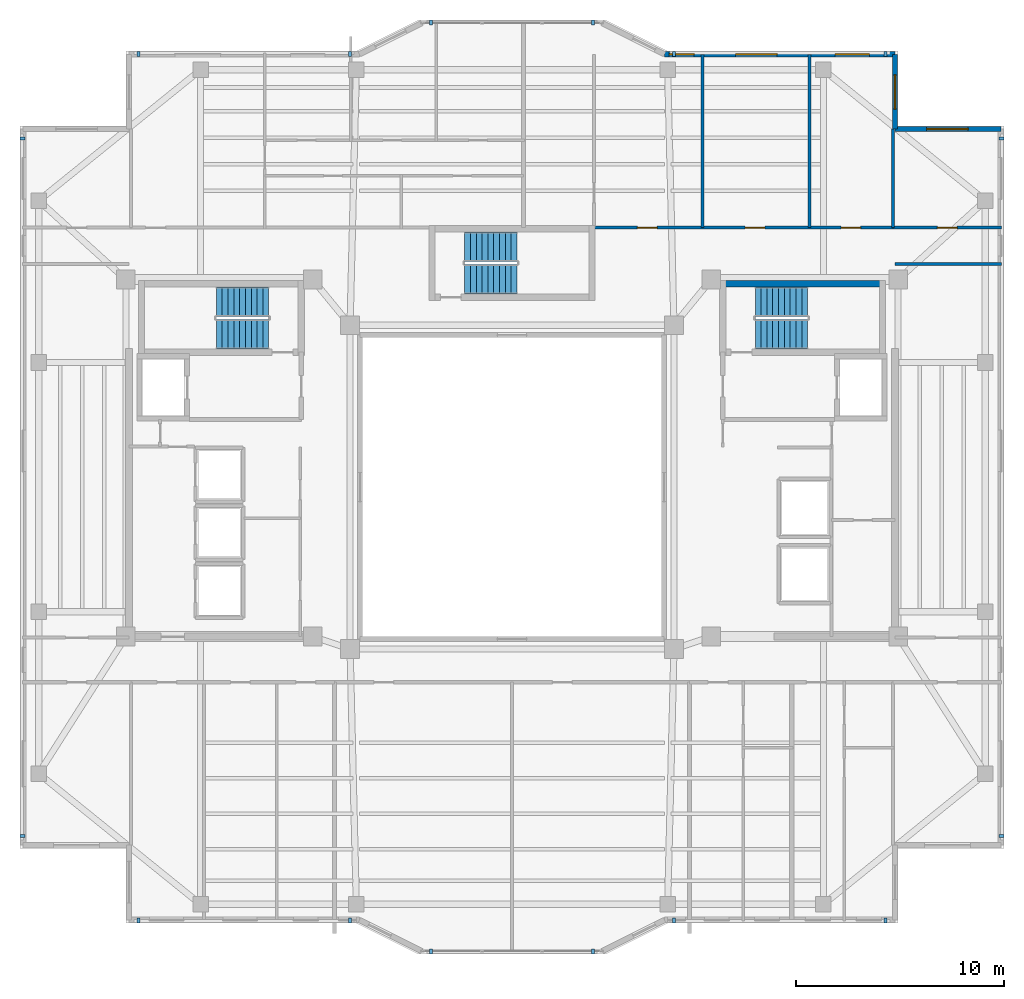
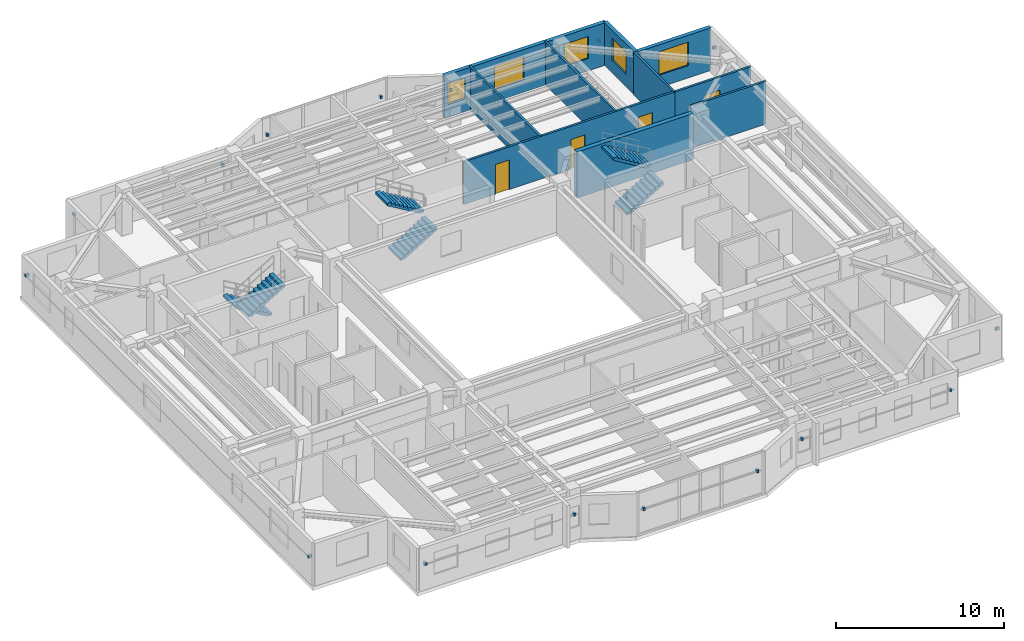
# One storey, part 10 of 13: 16 discrete accessories, 10 walls, 6 stair flights, 5 windows, 4 doors, 9 openings, 3 elements without a shape of their own.
"""IFC4 building model written with IfcOpenShell, lengths in metres."""

from ifc_helpers import new_model, si_unit, direction, frame, frame_2d, origin, origin_2d, place, context, subcontext, project, spatial, polyline, rectangle, outline, extrude, material, layer, layer_set, type_object, element, fill, aggregate, save


model = new_model("IFC4")

# Units and contexts
model_context = context("Model", 3, precision=1e-05, world=origin(), true_north=direction((0.0, 1.0)))
body_context = subcontext(model_context, "Body", "Model", "MODEL_VIEW")
ifc_project = project(units=[si_unit("LENGTHUNIT", "METRE"), si_unit("AREAUNIT", "SQUARE_METRE"), si_unit("VOLUMEUNIT", "CUBIC_METRE"), si_unit("PLANEANGLEUNIT", "RADIAN"), si_unit("MASSUNIT", "GRAM", prefix="KILO")], contexts=[model_context])

# Site, building, storey
site_placement = place(None, origin())
site = spatial("IfcSite", under=ifc_project, at=site_placement, CompositionType="ELEMENT")
building_placement = place(site_placement, origin())
building = spatial("IfcBuilding", under=site, at=building_placement, Name="Tarnavaz Court Tower", CompositionType="ELEMENT")
storey_placement = place(building_placement, frame((0.0, 0.0, 193.60009765625)))
storey = spatial("IfcBuildingStorey", under=building, at=storey_placement, Name="L52", CompositionType="ELEMENT", Elevation=193.60009765625)

# Wall
ifc_material_1 = material(Name="Concrete C50/60", Category="concrete")
ifc_layer_1 = layer(ifc_material_1, 0.300048828125)
ifc_layer_set_1 = layer_set([ifc_layer_1], Name="Concrete C50/60")
wall_type_1 = type_object("IfcWallType", Name="WL-CORE-300-C50", PredefinedType="SHEAR", material=ifc_layer_set_1)
wall_1_placement = place(storey_placement, frame((10.0, 9.7900390625, 0.0), z_axis=(0.0, 0.0, 1.0), x_axis=(1.0, 0.0, 0.0)))
element("IfcWall", 1, at=wall_1_placement, inside=storey, type_object=wall_type_1, Name="L52 East Stair Core Wall 005", PredefinedType="SHEAR", context=body_context, shape_type="SweptSolid", body=[
    extrude(rectangle(XDim=8.0, YDim=0.300048828125, at=frame_2d((4.0, 0.0))), origin(), (0.0, 0.0, 1.0), 3.349853515625),
])

# Wall, openings, windows
ifc_material_2 = material(Name="Precast Concrete C40/50", Category="concrete")
ifc_layer_2 = layer(ifc_material_2, 0.260009765625)
ifc_layer_set_2 = layer_set([ifc_layer_2], Name="Precast Concrete C40/50")
wall_type_2 = type_object("IfcWallType", Name="WL-EXT-260", PredefinedType="SOLIDWALL", material=ifc_layer_set_2)
wall_2_placement = place(storey_placement, frame((7.35009765625, 20.85009765625, 0.0), z_axis=(0.0, 0.0, 1.0), x_axis=(1.0, 0.0, 0.0)))
wall_2 = element("IfcWall", 2, at=wall_2_placement, inside=storey, type_object=wall_type_2, Name="L52 Exterior Terracotta Facade Wall 09", PredefinedType="SOLIDWALL", context=body_context, shape_type="SweptSolid", body=[
    extrude(rectangle(XDim=11.099853515625, YDim=0.260009765625, at=frame_2d((5.5498046875, 0.0))), origin(), (0.0, 0.0, 1.0), 3.099853515625),
])
opening_1_placement = place(wall_2_placement, frame((0.223388671875, 0.0, 0.949951171875)))
opening_1 = element("IfcOpeningElement", 3, at=opening_1_placement, cuts=wall_2, Name="Opening W05", PredefinedType="OPENING", context=body_context, shape_type="SweptSolid", body=[
    extrude(rectangle(XDim=1.199951171875, YDim=1.5, at=frame_2d((0.60009765625, 0.75))), frame((0.0, 0.139892578125, 0.0), z_axis=(0.0, -1.0, 0.0), x_axis=(1.0, 0.0, 0.0)), (0.0, 0.0, 1.0), 0.280029296875),
])
opening_2_placement = place(wall_2_placement, frame((3.419921875, 0.0, 0.89990234375)))
opening_2 = element("IfcOpeningElement", 4, at=opening_2_placement, cuts=wall_2, Name="Opening W08", PredefinedType="OPENING", context=body_context, shape_type="SweptSolid", body=[
    extrude(rectangle(XDim=2.0, YDim=1.699951171875, at=frame_2d((1.0, 0.85009765625))), frame((0.0, 0.139892578125, 0.0), z_axis=(0.0, -1.0, 0.0), x_axis=(1.0, 0.0, 0.0)), (0.0, 0.0, 1.0), 0.280029296875),
])
opening_3_placement = place(wall_2_placement, frame((8.2158203125, 0.0, 0.89990234375)))
opening_3 = element("IfcOpeningElement", 5, at=opening_3_placement, cuts=wall_2, Name="Opening W02", PredefinedType="OPENING", context=body_context, shape_type="SweptSolid", body=[
    extrude(rectangle(XDim=1.64990234375, YDim=1.60009765625, at=frame_2d((0.824951171875, 0.800048828125))), frame((0.0, 0.139892578125, 0.0), z_axis=(0.0, -1.0, 0.0), x_axis=(1.0, 0.0, 0.0)), (0.0, 0.0, 1.0), 0.280029296875),
])
ifc_material_3 = material(Name="Double-Glazed Solar Low-E Glass", Category="glass")
window_type_1 = type_object("IfcWindowType", Name="WN-APT-1200", PartitioningType="SINGLE_PANEL", PredefinedType="WINDOW", material=ifc_material_3)
window_1_placement = place(opening_1_placement, origin())
window_1 = element("IfcWindow", 6, at=window_1_placement, inside=storey, type_object=window_type_1, Name="L52 Resident Fitness and Yoga Studio Window", OverallHeight=1.5, OverallWidth=1.199951171875, PartitioningType="SINGLE_PANEL", PredefinedType="WINDOW", context=body_context, shape_type="SweptSolid", body=[
    extrude(rectangle(XDim=1.199951171875, YDim=1.5, at=frame_2d((0.60009765625, 0.75))), frame((0.0, 0.030029296875, 0.0), z_axis=(0.0, -1.0, 0.0), x_axis=(1.0, 0.0, 0.0)), (0.0, 0.0, 1.0), 0.06005859375),
])
fill(opening_1, window_1)
window_type_2 = type_object("IfcWindowType", Name="WN-APT-1650", PartitioningType="DOUBLE_PANEL_VERTICAL", PredefinedType="WINDOW", material=ifc_material_3)
window_2_placement = place(opening_3_placement, origin())
window_2 = element("IfcWindow", 7, at=window_2_placement, inside=storey, type_object=window_type_2, Name="L52 Shared Community Tea Pantry Window", OverallHeight=1.60009765625, OverallWidth=1.64990234375, PartitioningType="SINGLE_PANEL", PredefinedType="WINDOW", context=body_context, shape_type="SweptSolid", body=[
    extrude(rectangle(XDim=1.64990234375, YDim=1.60009765625, at=frame_2d((0.824951171875, 0.800048828125))), frame((0.0, 0.030029296875, 0.0), z_axis=(0.0, -1.0, 0.0), x_axis=(1.0, 0.0, 0.0)), (0.0, 0.0, 1.0), 0.06005859375),
])
fill(opening_3, window_2)
window_type_3 = type_object("IfcWindowType", Name="WN-APT-2000", PartitioningType="DOUBLE_PANEL_VERTICAL", PredefinedType="WINDOW", material=ifc_material_3)
window_3_placement = place(opening_2_placement, origin())
window_3 = element("IfcWindow", 8, at=window_3_placement, inside=storey, type_object=window_type_3, Name="L52 Children Playroom and Daycare Window", OverallHeight=1.699951171875, OverallWidth=2.0, PartitioningType="SINGLE_PANEL", PredefinedType="WINDOW", context=body_context, shape_type="SweptSolid", body=[
    extrude(rectangle(XDim=2.0, YDim=1.699951171875, at=frame_2d((1.0, 0.85009765625))), frame((0.0, 0.030029296875, 0.0), z_axis=(0.0, -1.0, 0.0), x_axis=(1.0, 0.0, 0.0)), (0.0, 0.0, 1.0), 0.06005859375),
])
fill(opening_2, window_3)

# Wall, opening, window
wall_3_placement = place(storey_placement, frame((18.449951171875, 20.85009765625, 0.0), z_axis=(0.0, 0.0, 1.0), x_axis=(0.0, -1.0, 0.0)))
wall_3 = element("IfcWall", 9, at=wall_3_placement, inside=storey, type_object=wall_type_2, Name="L52 Exterior Terracotta Facade Wall 10", PredefinedType="SOLIDWALL", context=body_context, shape_type="SweptSolid", body=[
    extrude(rectangle(XDim=3.60009765625, YDim=0.260009765625, at=frame_2d((1.800048828125, 0.0))), origin(), (0.0, 0.0, 1.0), 3.099853515625),
])
opening_4_placement = place(wall_3_placement, frame((0.992431640625, 0.0, 0.89990234375)))
opening_4 = element("IfcOpeningElement", 10, at=opening_4_placement, cuts=wall_3, Name="Opening W02", PredefinedType="OPENING", context=body_context, shape_type="SweptSolid", body=[
    extrude(rectangle(XDim=1.64990234375, YDim=1.60009765625, at=frame_2d((0.824951171875, 0.800048828125))), frame((0.0, 0.139892578125, 0.0), z_axis=(0.0, -1.0, 0.0), x_axis=(1.0, 0.0, 0.0)), (0.0, 0.0, 1.0), 0.280029296875),
])
window_4_placement = place(opening_4_placement, origin())
window_4 = element("IfcWindow", 11, at=window_4_placement, inside=storey, type_object=window_type_2, Name="L52 Shared Community Tea Pantry Window", OverallHeight=1.60009765625, OverallWidth=1.64990234375, PartitioningType="SINGLE_PANEL", PredefinedType="WINDOW", context=body_context, shape_type="SweptSolid", body=[
    extrude(rectangle(XDim=1.64990234375, YDim=1.60009765625, at=frame_2d((0.824951171875, 0.800048828125))), frame((0.0, 0.030029296875, 0.0), z_axis=(0.0, -1.0, 0.0), x_axis=(1.0, 0.0, 0.0)), (0.0, 0.0, 1.0), 0.06005859375),
])
fill(opening_4, window_4)

wall_4_placement = place(storey_placement, frame((18.449951171875, 17.25, 0.0), z_axis=(0.0, 0.0, 1.0), x_axis=(1.0, 0.0, 0.0)))
wall_4 = element("IfcWall", 12, at=wall_4_placement, inside=storey, type_object=wall_type_2, Name="L52 Exterior Terracotta Facade Wall 11", PredefinedType="SOLIDWALL", context=body_context, shape_type="SweptSolid", body=[
    extrude(rectangle(XDim=5.10009765625, YDim=0.260009765625, at=frame_2d((2.550048828125, 0.0))), origin(), (0.0, 0.0, 1.0), 3.099853515625),
])
opening_5_placement = place(wall_4_placement, frame((1.52490234375, 0.0, 0.89990234375)))
opening_5 = element("IfcOpeningElement", 13, at=opening_5_placement, cuts=wall_4, Name="Opening W08", PredefinedType="OPENING", context=body_context, shape_type="SweptSolid", body=[
    extrude(rectangle(XDim=2.0, YDim=1.699951171875, at=frame_2d((1.0, 0.85009765625))), frame((0.0, 0.139892578125, 0.0), z_axis=(0.0, -1.0, 0.0), x_axis=(1.0, 0.0, 0.0)), (0.0, 0.0, 1.0), 0.280029296875),
])
window_5_placement = place(opening_5_placement, origin())
window_5 = element("IfcWindow", 14, at=window_5_placement, inside=storey, type_object=window_type_3, Name="L52 North-East Corner Sunroom Study Window", OverallHeight=1.699951171875, OverallWidth=2.0, PartitioningType="SINGLE_PANEL", PredefinedType="WINDOW", context=body_context, shape_type="SweptSolid", body=[
    extrude(rectangle(XDim=2.0, YDim=1.699951171875, at=frame_2d((1.0, 0.85009765625))), frame((0.0, 0.030029296875, 0.0), z_axis=(0.0, -1.0, 0.0), x_axis=(1.0, 0.0, 0.0)), (0.0, 0.0, 1.0), 0.06005859375),
])
fill(opening_5, window_5)

# Wall, openings, doors
ifc_material_4 = material(Name="Gypsum Fire-Board on Acoustic Metal Stud", Category="masonry")
ifc_layer_3 = layer(ifc_material_4, 0.14990234375)
ifc_layer_set_3 = layer_set([ifc_layer_3], Name="Gypsum Fire-Board on Acoustic Metal Stud")
wall_type_3 = type_object("IfcWallType", Name="WL-FIRE-150", PredefinedType="PARTITIONING", material=ifc_layer_set_3)
wall_5_placement = place(storey_placement, frame((3.85009765625, 12.5, 0.0), z_axis=(0.0, 0.0, 1.0), x_axis=(1.0, 0.0, 0.0)))
wall_5 = element("IfcWall", 15, at=wall_5_placement, inside=storey, type_object=wall_type_3, Name="L52 NE Wing Corridor Wall 058", PredefinedType="PARTITIONING", context=body_context, shape_type="SweptSolid", body=[
    extrude(rectangle(XDim=14.5, YDim=0.14990234375, at=frame_2d((7.25, 0.0))), origin(), (0.0, 0.0, 1.0), 3.099853515625),
])
opening_6_placement = place(wall_5_placement, frame((2.18603515625, 0.0, 0.0)))
opening_6 = element("IfcOpeningElement", 16, at=opening_6_placement, cuts=wall_5, Name="Opening D13", PredefinedType="OPENING", context=body_context, shape_type="SweptSolid", body=[
    extrude(rectangle(XDim=0.949951171875, YDim=2.14990234375, at=frame_2d((0.47509765625, 1.074951171875))), frame((0.0, 0.0849609375, 0.0), z_axis=(0.0, -1.0, 0.0), x_axis=(1.0, 0.0, 0.0)), (0.0, 0.0, 1.0), 0.169921875),
])
opening_7_placement = place(wall_5_placement, frame((7.37890625, 0.0, 0.0)))
opening_7 = element("IfcOpeningElement", 17, at=opening_7_placement, cuts=wall_5, Name="Opening D13", PredefinedType="OPENING", context=body_context, shape_type="SweptSolid", body=[
    extrude(rectangle(XDim=0.949951171875, YDim=2.14990234375, at=frame_2d((0.47509765625, 1.074951171875))), frame((0.0, 0.0849609375, 0.0), z_axis=(0.0, -1.0, 0.0), x_axis=(1.0, 0.0, 0.0)), (0.0, 0.0, 1.0), 0.169921875),
])
opening_8_placement = place(wall_5_placement, frame((11.998046875, 0.0, 0.0)))
opening_8 = element("IfcOpeningElement", 18, at=opening_8_placement, cuts=wall_5, Name="Opening D13", PredefinedType="OPENING", context=body_context, shape_type="SweptSolid", body=[
    extrude(rectangle(XDim=0.949951171875, YDim=2.14990234375, at=frame_2d((0.47509765625, 1.074951171875))), frame((0.0, 0.0849609375, 0.0), z_axis=(0.0, -1.0, 0.0), x_axis=(1.0, 0.0, 0.0)), (0.0, 0.0, 1.0), 0.169921875),
])
ifc_material_5 = material(Name="Engineered Oak Timber", Category="wood")
door_type = type_object("IfcDoorType", Name="DR-INT-950", OperationType="NOTDEFINED", PredefinedType="DOOR", material=ifc_material_5)
door_1_placement = place(opening_6_placement, origin())
door_1 = element("IfcDoor", 19, at=door_1_placement, inside=storey, type_object=door_type, Name="L52 Resident Fitness and Yoga Studio Door", OperationType="SINGLE_SWING_RIGHT", OverallHeight=2.14990234375, OverallWidth=0.949951171875, PredefinedType="DOOR", context=body_context, shape_type="SweptSolid", body=[
    extrude(rectangle(XDim=0.949951171875, YDim=2.14990234375, at=frame_2d((0.47509765625, 1.074951171875))), frame((0.0, 0.02490234375, 0.0), z_axis=(0.0, -1.0, 0.0), x_axis=(1.0, 0.0, 0.0)), (0.0, 0.0, 1.0), 0.050048828125),
])
fill(opening_6, door_1)
door_2_placement = place(opening_7_placement, origin())
door_2 = element("IfcDoor", 20, at=door_2_placement, inside=storey, type_object=door_type, Name="L52 Children Playroom and Daycare Door", OperationType="SINGLE_SWING_LEFT", OverallHeight=2.14990234375, OverallWidth=0.949951171875, PredefinedType="DOOR", context=body_context, shape_type="SweptSolid", body=[
    extrude(rectangle(XDim=0.949951171875, YDim=2.14990234375, at=frame_2d((0.47509765625, 1.074951171875))), frame((0.0, 0.02490234375, 0.0), z_axis=(0.0, -1.0, 0.0), x_axis=(1.0, 0.0, 0.0)), (0.0, 0.0, 1.0), 0.050048828125),
])
fill(opening_7, door_2)
door_3_placement = place(opening_8_placement, origin())
door_3 = element("IfcDoor", 21, at=door_3_placement, inside=storey, type_object=door_type, Name="L52 Shared Community Tea Pantry Door", OperationType="SINGLE_SWING_RIGHT", OverallHeight=2.14990234375, OverallWidth=0.949951171875, PredefinedType="DOOR", context=body_context, shape_type="SweptSolid", body=[
    extrude(rectangle(XDim=0.949951171875, YDim=2.14990234375, at=frame_2d((0.47509765625, 1.074951171875))), frame((0.0, 0.02490234375, 0.0), z_axis=(0.0, -1.0, 0.0), x_axis=(1.0, 0.0, 0.0)), (0.0, 0.0, 1.0), 0.050048828125),
])
fill(opening_8, door_3)

# Wall
wall_6_placement = place(storey_placement, frame((18.449951171875, 10.75, 0.0), z_axis=(0.0, 0.0, 1.0), x_axis=(1.0, 0.0, 0.0)))
element("IfcWall", 22, at=wall_6_placement, inside=storey, type_object=wall_type_3, Name="L52 Interior Partition 088", PredefinedType="PARTITIONING", context=body_context, shape_type="SweptSolid", body=[
    extrude(rectangle(XDim=5.130126953125, YDim=0.14990234375, at=frame_2d((2.56494140625, 0.0))), origin(), (0.0, 0.0, 1.0), 3.099853515625),
])

# Wall, opening, door
wall_7_placement = place(storey_placement, frame((18.35009765625, 12.5, 0.0), z_axis=(0.0, 0.0, 1.0), x_axis=(1.0, 0.0, 0.0)))
wall_7 = element("IfcWall", 23, at=wall_7_placement, inside=storey, type_object=wall_type_3, Name="L52 Interior Partition 094", PredefinedType="PARTITIONING", context=body_context, shape_type="SweptSolid", body=[
    extrude(rectangle(XDim=5.22998046875, YDim=0.14990234375, at=frame_2d((2.614990234375, 0.0))), origin(), (0.0, 0.0, 1.0), 3.099853515625),
])
opening_9_placement = place(wall_7_placement, frame((2.139892578125, 0.0, 0.0)))
opening_9 = element("IfcOpeningElement", 24, at=opening_9_placement, cuts=wall_7, Name="Opening D13", PredefinedType="OPENING", context=body_context, shape_type="SweptSolid", body=[
    extrude(rectangle(XDim=0.949951171875, YDim=2.14990234375, at=frame_2d((0.47509765625, 1.074951171875))), frame((0.0, 0.0849609375, 0.0), z_axis=(0.0, -1.0, 0.0), x_axis=(1.0, 0.0, 0.0)), (0.0, 0.0, 1.0), 0.169921875),
])
door_4_placement = place(opening_9_placement, origin())
door_4 = element("IfcDoor", 25, at=door_4_placement, inside=storey, type_object=door_type, Name="L52 NE Sunroom Door", OperationType="SINGLE_SWING_RIGHT", OverallHeight=2.14990234375, OverallWidth=0.949951171875, PredefinedType="DOOR", context=body_context, shape_type="SweptSolid", body=[
    extrude(rectangle(XDim=0.949951171875, YDim=2.14990234375, at=frame_2d((0.47509765625, 1.074951171875))), frame((0.0, 0.02490234375, 0.0), z_axis=(0.0, -1.0, 0.0), x_axis=(1.0, 0.0, 0.0)), (0.0, 0.0, 1.0), 0.050048828125),
])
fill(opening_9, door_4)

# Walls
ifc_material_6 = material(Name="Gypsum Plasterboard Acoustic Partition", Category="masonry")
ifc_layer_4 = layer(ifc_material_6, 0.139892578125)
ifc_layer_set_4 = layer_set([ifc_layer_4], Name="Gypsum Plasterboard Acoustic Partition")
wall_type_4 = type_object("IfcWallType", Name="WL-PART-150", PredefinedType="PARTITIONING", material=ifc_layer_set_4)
for number, where, z_axis, x_axis, name in (
    (26, (9.172119140625, 12.5, 0.0), (0.0, 0.0, 1.0), (0.0, 1.0, 0.0), "L52 Interior Partition 070"),
    (27, (14.3349609375, 12.5, 0.0), (0.0, 0.0, 1.0), (0.0, 1.0, 0.0), "L52 Interior Partition 071"),
):
    element("IfcWall", number, at=place(storey_placement, frame(where, z_axis=z_axis, x_axis=x_axis)), inside=storey, type_object=wall_type_4, Name=name, PredefinedType="PARTITIONING", context=body_context, shape_type="SweptSolid", body=[
        extrude(rectangle(XDim=8.35009765625, YDim=0.139892578125, at=frame_2d((4.175048828125, 0.0))), origin(), (0.0, 0.0, 1.0), 3.099853515625),
    ])
wall_8_placement = place(storey_placement, frame((18.35009765625, 12.5, 0.0), z_axis=(0.0, 0.0, 1.0), x_axis=(0.0, 1.0, 0.0)))
element("IfcWall", 28, at=wall_8_placement, inside=storey, type_object=wall_type_4, Name="L52 Interior Partition 092", PredefinedType="PARTITIONING", context=body_context, shape_type="SweptSolid", body=[
    extrude(rectangle(XDim=4.75, YDim=0.139892578125, at=frame_2d((2.375, 0.0))), origin(), (0.0, 0.0, 1.0), 3.099853515625),
])

# Stair, stair flights
ifc_material_7 = material(Name="Concrete C40/50", Category="concrete")
stair_type = type_object("IfcStairType", Name="ST-TWR-20R", PredefinedType="HALF_TURN_STAIR", material=ifc_material_7)
stair_1_placement = place(storey_placement, origin())
stair_1 = element("IfcStair", 29, at=stair_1_placement, inside=storey, type_object=stair_type, Name="L52 West Core Pressurized Exit Stair ST-W1", PredefinedType="HALF_TURN_STAIR")
stair_flight_type = type_object("IfcStairFlightType", Name="SFL-RC-20R", PredefinedType="STRAIGHT", material=ifc_material_7)
stair_flight_1_placement = place(storey_placement, frame((-11.719970703125, 8.929931640625, 0.0), z_axis=(0.0, 0.0, 1.0), x_axis=(-1.0, 0.0, 0.0)))
stair_flight_1 = element("IfcStairFlight", 30, at=stair_flight_1_placement, type_object=stair_flight_type, Name="ST-W1 flight 1", NumberOfRisers=10, NumberOfTreads=9, PredefinedType="STRAIGHT", RiserHeight=0.1675, TreadLength=0.28, context=body_context, shape_type="SweptSolid", body=[
    extrude(outline(polyline([(0.0, 0.0), (0.0, 0.16748046875), (0.280029296875, 0.16748046875), (0.280029296875, 0.3349609375), (0.56005859375, 0.3349609375), (0.56005859375, 0.50244140625), (0.840087890625, 0.50244140625), (0.840087890625, 0.669921875), (1.1201171875, 0.669921875), (1.1201171875, 0.83740234375), (1.39990234375, 0.83740234375), (1.39990234375, 1.0048828125), (1.679931640625, 1.0048828125), (1.679931640625, 1.172607421875), (1.9599609375, 1.172607421875), (1.9599609375, 1.340087890625), (2.239990234375, 1.340087890625), (2.239990234375, 1.507568359375), (2.52001953125, 1.507568359375), (2.52001953125, 1.675048828125), (2.52001953125, 1.332763671875), (0.2919921875, 0.0), (0.0, 0.0)])), frame((0.0, 0.7099609375, 0.0), z_axis=(0.0, -1.0, 0.0), x_axis=(1.0, 0.0, 0.0)), (0.0, 0.0, 1.0), 1.419921875),
])
stair_flight_2_placement = place(storey_placement, frame((-14.239990234375, 7.360107421875, 1.6748046875), z_axis=(0.0, 0.0, 1.0), x_axis=(1.0, 0.0, 0.0)))
stair_flight_2 = element("IfcStairFlight", 31, at=stair_flight_2_placement, type_object=stair_flight_type, Name="ST-W1 flight 2", NumberOfRisers=10, NumberOfTreads=9, PredefinedType="STRAIGHT", RiserHeight=0.1675, TreadLength=0.28, context=body_context, shape_type="SweptSolid", body=[
    extrude(outline(polyline([(0.0, 0.0), (0.0, 0.16748046875), (0.280029296875, 0.16748046875), (0.280029296875, 0.3349609375), (0.56005859375, 0.3349609375), (0.56005859375, 0.50244140625), (0.840087890625, 0.50244140625), (0.840087890625, 0.669921875), (1.1201171875, 0.669921875), (1.1201171875, 0.83740234375), (1.39990234375, 0.83740234375), (1.39990234375, 1.0048828125), (1.679931640625, 1.0048828125), (1.679931640625, 1.172607421875), (1.9599609375, 1.172607421875), (1.9599609375, 1.340087890625), (2.239990234375, 1.340087890625), (2.239990234375, 1.507568359375), (2.52001953125, 1.507568359375), (2.52001953125, 1.675048828125), (2.52001953125, 1.332763671875), (0.2919921875, 0.0), (0.0, 0.0)])), frame((0.0, 0.7099609375, 0.0), z_axis=(0.0, -1.0, 0.0), x_axis=(1.0, 0.0, 0.0)), (0.0, 0.0, 1.0), 1.419921875),
])
aggregate(stair_1, [stair_flight_1, stair_flight_2])

stair_2_placement = place(storey_placement, origin())
stair_2 = element("IfcStair", 32, at=stair_2_placement, inside=storey, type_object=stair_type, Name="L52 East Core Pressurized Exit Stair ST-E1", PredefinedType="HALF_TURN_STAIR")
stair_flight_3_placement = place(storey_placement, frame((11.719970703125, 7.360107421875, 0.0), z_axis=(0.0, 0.0, 1.0), x_axis=(1.0, 0.0, 0.0)))
stair_flight_3 = element("IfcStairFlight", 33, at=stair_flight_3_placement, type_object=stair_flight_type, Name="ST-E1 flight 1", NumberOfRisers=10, NumberOfTreads=9, PredefinedType="STRAIGHT", RiserHeight=0.1675, TreadLength=0.28, context=body_context, shape_type="SweptSolid", body=[
    extrude(outline(polyline([(0.0, 0.0), (0.0, 0.16748046875), (0.280029296875, 0.16748046875), (0.280029296875, 0.3349609375), (0.56005859375, 0.3349609375), (0.56005859375, 0.50244140625), (0.840087890625, 0.50244140625), (0.840087890625, 0.669921875), (1.1201171875, 0.669921875), (1.1201171875, 0.83740234375), (1.39990234375, 0.83740234375), (1.39990234375, 1.0048828125), (1.679931640625, 1.0048828125), (1.679931640625, 1.172607421875), (1.9599609375, 1.172607421875), (1.9599609375, 1.340087890625), (2.239990234375, 1.340087890625), (2.239990234375, 1.507568359375), (2.52001953125, 1.507568359375), (2.52001953125, 1.675048828125), (2.52001953125, 1.332763671875), (0.2919921875, 0.0), (0.0, 0.0)])), frame((0.0, 0.7099609375, 0.0), z_axis=(0.0, -1.0, 0.0), x_axis=(1.0, 0.0, 0.0)), (0.0, 0.0, 1.0), 1.419921875),
])
stair_flight_4_placement = place(storey_placement, frame((14.239990234375, 8.929931640625, 1.6748046875), z_axis=(0.0, 0.0, 1.0), x_axis=(-1.0, 0.0, 0.0)))
stair_flight_4 = element("IfcStairFlight", 34, at=stair_flight_4_placement, type_object=stair_flight_type, Name="ST-E1 flight 2", NumberOfRisers=10, NumberOfTreads=9, PredefinedType="STRAIGHT", RiserHeight=0.1675, TreadLength=0.28, context=body_context, shape_type="SweptSolid", body=[
    extrude(outline(polyline([(0.0, 0.0), (0.0, 0.16748046875), (0.280029296875, 0.16748046875), (0.280029296875, 0.3349609375), (0.56005859375, 0.3349609375), (0.56005859375, 0.50244140625), (0.840087890625, 0.50244140625), (0.840087890625, 0.669921875), (1.1201171875, 0.669921875), (1.1201171875, 0.83740234375), (1.39990234375, 0.83740234375), (1.39990234375, 1.0048828125), (1.679931640625, 1.0048828125), (1.679931640625, 1.172607421875), (1.9599609375, 1.172607421875), (1.9599609375, 1.340087890625), (2.239990234375, 1.340087890625), (2.239990234375, 1.507568359375), (2.52001953125, 1.507568359375), (2.52001953125, 1.675048828125), (2.52001953125, 1.332763671875), (0.2919921875, 0.0), (0.0, 0.0)])), frame((0.0, 0.7099609375, 0.0), z_axis=(0.0, -1.0, 0.0), x_axis=(1.0, 0.0, 0.0)), (0.0, 0.0, 1.0), 1.419921875),
])
aggregate(stair_2, [stair_flight_3, stair_flight_4])

stair_3_placement = place(storey_placement, origin())
stair_3 = element("IfcStair", 35, at=stair_3_placement, inside=storey, type_object=stair_type, Name="L52 North Ring Pressurized Exit Stair ST-N1", PredefinedType="HALF_TURN_STAIR")
stair_flight_5_placement = place(storey_placement, frame((-2.280029296875, 10.010009765625, 0.0), z_axis=(0.0, 0.0, 1.0), x_axis=(1.0, 0.0, 0.0)))
stair_flight_5 = element("IfcStairFlight", 36, at=stair_flight_5_placement, type_object=stair_flight_type, Name="ST-N1 flight 1", NumberOfRisers=10, NumberOfTreads=9, PredefinedType="STRAIGHT", RiserHeight=0.1675, TreadLength=0.28, context=body_context, shape_type="SweptSolid", body=[
    extrude(outline(polyline([(0.0, 0.0), (0.0, 0.16748046875), (0.280029296875, 0.16748046875), (0.280029296875, 0.3349609375), (0.56005859375, 0.3349609375), (0.56005859375, 0.50244140625), (0.840087890625, 0.50244140625), (0.840087890625, 0.669921875), (1.1201171875, 0.669921875), (1.1201171875, 0.83740234375), (1.39990234375, 0.83740234375), (1.39990234375, 1.0048828125), (1.679931640625, 1.0048828125), (1.679931640625, 1.172607421875), (1.9599609375, 1.172607421875), (1.9599609375, 1.340087890625), (2.239990234375, 1.340087890625), (2.239990234375, 1.507568359375), (2.52001953125, 1.507568359375), (2.52001953125, 1.675048828125), (2.52001953125, 1.332763671875), (0.2919921875, 0.0), (0.0, 0.0)])), frame((0.0, 0.7099609375, 0.0), z_axis=(0.0, -1.0, 0.0), x_axis=(1.0, 0.0, 0.0)), (0.0, 0.0, 1.0), 1.419921875),
])
stair_flight_6_placement = place(storey_placement, frame((0.239990234375, 11.580078125, 1.6748046875), z_axis=(0.0, 0.0, 1.0), x_axis=(-1.0, 0.0, 0.0)))
stair_flight_6 = element("IfcStairFlight", 37, at=stair_flight_6_placement, type_object=stair_flight_type, Name="ST-N1 flight 2", NumberOfRisers=10, NumberOfTreads=9, PredefinedType="STRAIGHT", RiserHeight=0.1675, TreadLength=0.28, context=body_context, shape_type="SweptSolid", body=[
    extrude(outline(polyline([(0.0, 0.0), (0.0, 0.16748046875), (0.280029296875, 0.16748046875), (0.280029296875, 0.3349609375), (0.56005859375, 0.3349609375), (0.56005859375, 0.50244140625), (0.840087890625, 0.50244140625), (0.840087890625, 0.669921875), (1.1201171875, 0.669921875), (1.1201171875, 0.83740234375), (1.39990234375, 0.83740234375), (1.39990234375, 1.0048828125), (1.679931640625, 1.0048828125), (1.679931640625, 1.172607421875), (1.9599609375, 1.172607421875), (1.9599609375, 1.340087890625), (2.239990234375, 1.340087890625), (2.239990234375, 1.507568359375), (2.52001953125, 1.507568359375), (2.52001953125, 1.675048828125), (2.52001953125, 1.332763671875), (0.2919921875, 0.0), (0.0, 0.0)])), frame((0.0, 0.7099609375, 0.0), z_axis=(0.0, -1.0, 0.0), x_axis=(1.0, 0.0, 0.0)), (0.0, 0.0, 1.0), 1.419921875),
])
aggregate(stair_3, [stair_flight_5, stair_flight_6])

# Discrete accessories
ifc_material_8 = material(Name="Anodised Aluminium 6063-T6", Category="aluminium")
discrete_accessory_type = type_object("IfcDiscreteAccessoryType", Name="DA-BRKT-ALU", PredefinedType="BRACKET", material=ifc_material_8)
for number, where, z_axis, x_axis, name in (
    (38, (-23.570068359375, -16.800048828125, 1.75), (0.0, 0.0, 1.0), (0.0, 1.0, 0.0), "L52 Baguette Outrigger Bracket FBG02-1"),
    (39, (-23.570068359375, 16.800048828125, 1.75), (0.0, 0.0, 1.0), (0.0, 1.0, 0.0), "L52 Baguette Outrigger Bracket FBG02-2"),
    (40, (-18.0, 20.8701171875, 1.75), (0.0, 0.0, 1.0), (1.0, 0.0, 0.0), "L52 Baguette Outrigger Bracket FBG05-1"),
    (41, (-7.800048828125, 20.8701171875, 1.75), (0.0, 0.0, 1.0), (1.0, 0.0, 0.0), "L52 Baguette Outrigger Bracket FBG05-2"),
    (42, (-3.89990234375, 22.3701171875, 1.69970703125), (0.0, 0.0, 1.0), (1.0, 0.0, 0.0), "L52 Baguette Outrigger Bracket PBG7-1"),
    (43, (3.89990234375, 22.3701171875, 1.69970703125), (0.0, 0.0, 1.0), (1.0, 0.0, 0.0), "L52 Baguette Outrigger Bracket PBG7-2"),
    (44, (7.800048828125, 20.8701171875, 1.75), (0.0, 0.0, 1.0), (1.0, 0.0, 0.0), "L52 Baguette Outrigger Bracket FBG09-1"),
    (45, (18.0, 20.8701171875, 1.75), (0.0, 0.0, 1.0), (1.0, 0.0, 0.0), "L52 Baguette Outrigger Bracket FBG09-2"),
    (46, (23.570068359375, 16.800048828125, 1.75), (0.0, 0.0, 1.0), (0.0, -1.0, 0.0), "L52 Baguette Outrigger Bracket FBG12-1"),
    (47, (23.570068359375, -16.800048828125, 1.75), (0.0, 0.0, 1.0), (0.0, -1.0, 0.0), "L52 Baguette Outrigger Bracket FBG12-2"),
    (48, (18.0, -20.8701171875, 1.75), (0.0, 0.0, 1.0), (-1.0, 0.0, 0.0), "L52 Baguette Outrigger Bracket FBG15-1"),
    (49, (7.800048828125, -20.8701171875, 1.75), (0.0, 0.0, 1.0), (-1.0, 0.0, 0.0), "L52 Baguette Outrigger Bracket FBG15-2"),
    (50, (3.89990234375, -22.3701171875, 1.69970703125), (0.0, 0.0, 1.0), (-1.0, 0.0, 0.0), "L52 Baguette Outrigger Bracket PBG17-1"),
    (51, (-3.89990234375, -22.3701171875, 1.69970703125), (0.0, 0.0, 1.0), (-1.0, 0.0, 0.0), "L52 Baguette Outrigger Bracket PBG17-2"),
    (52, (-7.800048828125, -20.8701171875, 1.75), (0.0, 0.0, 1.0), (-1.0, 0.0, 0.0), "L52 Baguette Outrigger Bracket FBG19-1"),
    (53, (-18.0, -20.8701171875, 1.75), (0.0, 0.0, 1.0), (-1.0, 0.0, 0.0), "L52 Baguette Outrigger Bracket FBG19-2"),
):
    element("IfcDiscreteAccessory", number, at=place(storey_placement, frame(where, z_axis=z_axis, x_axis=x_axis)), inside=storey, type_object=discrete_accessory_type, Name=name, PredefinedType="BRACKET", context=body_context, shape_type="SweptSolid", body=[
        extrude(rectangle(XDim=0.139892578125, YDim=0.239990234375, at=origin_2d()), origin(), (0.0, 0.0, 1.0), 0.199951171875),
    ])

save(model, "model.ifc")
